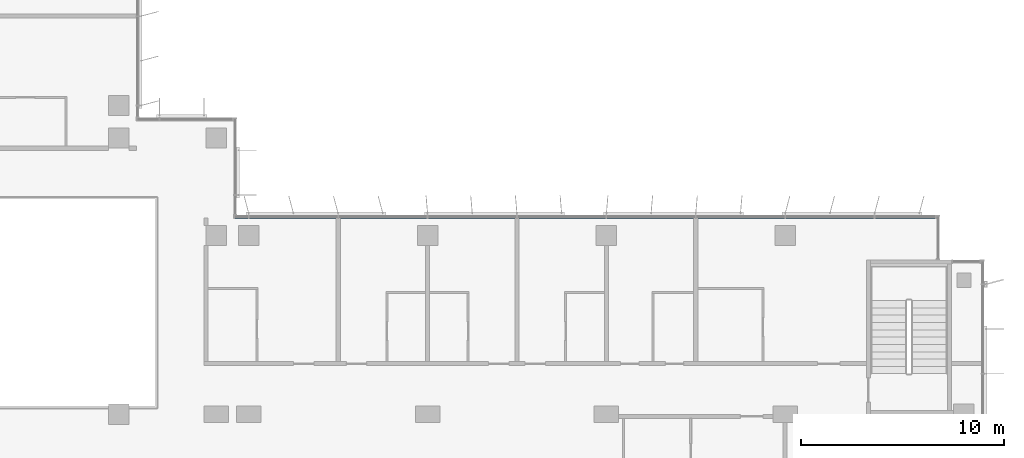
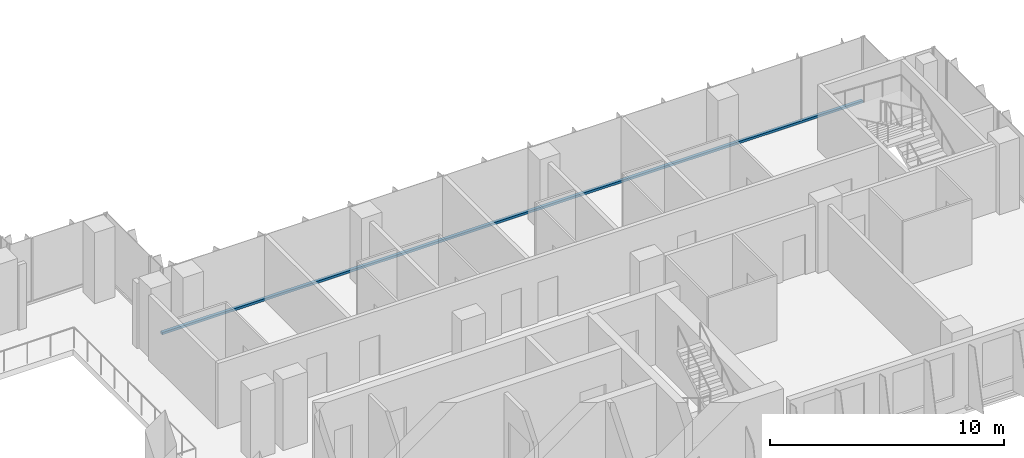
# One storey, part 3 of 21: 1 member, 1 element without a shape of its own.
"""IFC4 building model written with IfcOpenShell, lengths in metres."""

from ifc_helpers import new_model, si_unit, direction, frame, origin, origin_2d, place, context, subcontext, project, spatial, rectangle, extrude, material, material_profile, profile_set, type_object, element, aggregate, save


model = new_model("IFC4")

# Units and contexts
model_context = context("Model", 3, precision=1e-05, world=origin(), true_north=direction((0.0, 1.0)))
body_context = subcontext(model_context, "Body", "Model", "MODEL_VIEW")
ifc_project = project(units=[si_unit("LENGTHUNIT", "METRE"), si_unit("AREAUNIT", "SQUARE_METRE"), si_unit("VOLUMEUNIT", "CUBIC_METRE"), si_unit("PLANEANGLEUNIT", "RADIAN"), si_unit("MASSUNIT", "GRAM", prefix="KILO")], contexts=[model_context])

# Site, building, storey
site_placement = place(None, origin())
site = spatial("IfcSite", under=ifc_project, at=site_placement, CompositionType="ELEMENT")
building_placement = place(site_placement, origin())
building = spatial("IfcBuilding", under=site, at=building_placement, Name="Kemantara Hotel Tower", CompositionType="ELEMENT")
storey_placement = place(building_placement, frame((0.0, 0.0, 167.89990234375)))
storey = spatial("IfcBuildingStorey", under=building, at=storey_placement, Name="L41", CompositionType="ELEMENT", Elevation=167.89990234375)

# Curtain wall, member
ifc_material_1 = material(Name="Low-E tinted double insulated glass 36 mm", Category="glass")
curtain_wall_type = type_object("IfcCurtainWallType", Name="TOWER CURTAIN WALL, FRONT FACES", PredefinedType="USERDEFINED", material=ifc_material_1)
curtain_wall_placement = place(storey_placement, origin())
curtain_wall = element("IfcCurtainWall", 1, at=curtain_wall_placement, inside=storey, type_object=curtain_wall_type, Name="CW4 L41 T3-R14-1", ObjectType="TOWER CURTAIN WALL, FRONT FACES", PredefinedType="USERDEFINED")
ifc_material_2 = material(Name="Aluminium 6063-T6 bronze anodised", Category="aluminium")
ifc_material_profile = material_profile(ifc_material_2, rectangle(XDim=0.14990234375, YDim=0.1201171875, at=origin_2d()), Name="TOWER CURTAIN WALL, FRONT FACES TRANSOM")
ifc_profile_set = profile_set([ifc_material_profile], Name="Aluminium 6063-T6 bronze anodised")
member_type = type_object("IfcMemberType", Name="TOWER CURTAIN WALL, FRONT FACES TRANSOM", PredefinedType="USERDEFINED", material=ifc_profile_set)
member_placement = place(storey_placement, frame((61.25, 21.925048828125, 0.06005859375), z_axis=(-1.0, 0.0, 0.0), x_axis=(0.0, -1.0, 0.0)))
member = element("IfcMember", 2, at=member_placement, type_object=member_type, Name="CW4 sill transom T3-R14-1", ObjectType="TRANSOM", PredefinedType="USERDEFINED", context=body_context, shape_type="SweptSolid", body=[
    extrude(rectangle(XDim=0.14990234375, YDim=0.1201171875, at=origin_2d()), origin(), (0.0, 0.0, 1.0), 34.60009765625),
])
aggregate(curtain_wall, [member])

save(model, "model.ifc")
